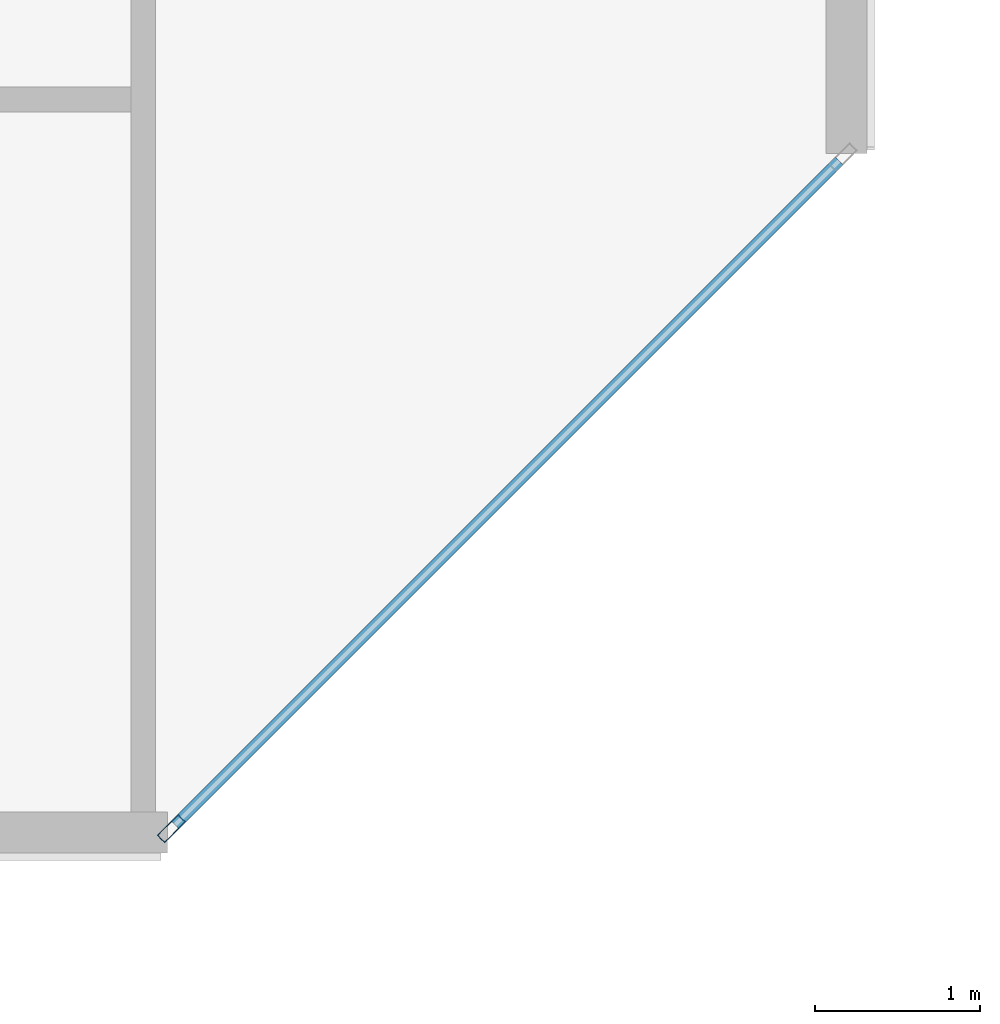
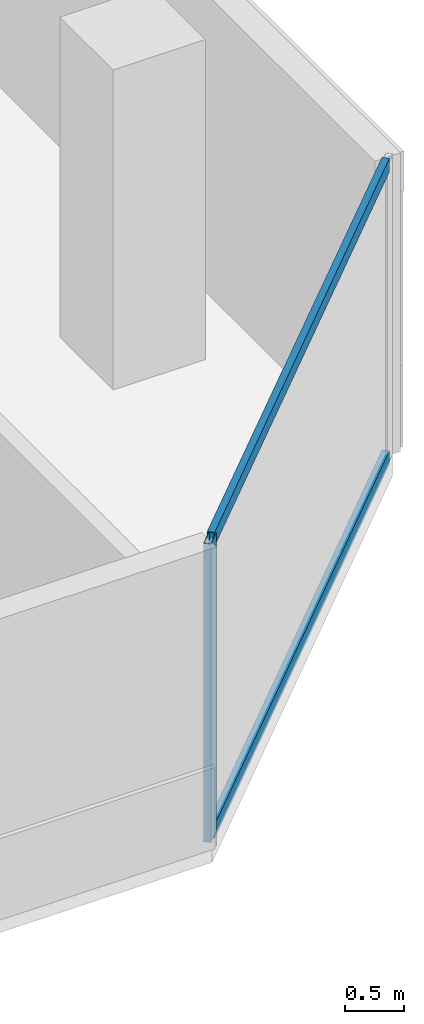
# One storey, part 13 of 29: 3 members, 1 element without a shape of its own.
"""IFC4 building model written with IfcOpenShell, lengths in metres."""

from ifc_helpers import new_model, si_unit, direction, frame, origin, origin_2d, place, context, subcontext, project, spatial, hollow_rectangle, extrude, material, layer, layer_set, material_profile, profile_set, type_object, element, aggregate, save


model = new_model("IFC4")

# Units and contexts
model_context = context("Model", 3, precision=1e-05, world=origin(), true_north=direction((0.0, 1.0)))
body_context = subcontext(model_context, "Body", "Model", "MODEL_VIEW")
ifc_project = project(units=[si_unit("LENGTHUNIT", "METRE"), si_unit("AREAUNIT", "SQUARE_METRE"), si_unit("VOLUMEUNIT", "CUBIC_METRE"), si_unit("PLANEANGLEUNIT", "RADIAN"), si_unit("MASSUNIT", "GRAM", prefix="KILO")], contexts=[model_context])

# Site, building, storey
site_placement = place(None, origin())
site = spatial("IfcSite", under=ifc_project, at=site_placement, CompositionType="ELEMENT")
building_placement = place(site_placement, origin())
building = spatial("IfcBuilding", under=site, at=building_placement, Name="Tanjung Sevakor Pilgrim Tower", CompositionType="ELEMENT")
storey_placement = place(building_placement, frame((0.0, 0.0, 151.800048828125)))
storey = spatial("IfcBuildingStorey", under=building, at=storey_placement, Name="L42", CompositionType="ELEMENT", Elevation=151.800048828125)

# Curtain wall, members
ifc_material_1 = material(Name="Aluminium 6063-T6 and Low-E Glass", Category="aluminium")
ifc_layer = layer(ifc_material_1, 0.179931640625)
ifc_layer_set = layer_set([ifc_layer], Name="CW-SYS-CHAM")
curtain_wall_type = type_object("IfcCurtainWallType", Name="CW-SYS-CHAM", PredefinedType="NOTDEFINED", material=ifc_layer_set)
curtain_wall_placement = place(storey_placement, origin())
curtain_wall = element("IfcCurtainWall", 1, at=curtain_wall_placement, inside=storey, type_object=curtain_wall_type, Name="L42 Curtain Wall CW-CHM-L42-MAIN-5", PredefinedType="NOTDEFINED")
ifc_material_2 = material(Name="Aluminium 6063-T6", Category="aluminium")
ifc_material_profile_1 = material_profile(ifc_material_2, hollow_rectangle(XDim=0.06494140625, YDim=0.179931640625, WallThickness=0.00390625, at=origin_2d()))
ifc_profile_set_1 = profile_set([ifc_material_profile_1], Name="Aluminium 6063-T6")
member_type_1 = type_object("IfcMemberType", Name="TYPE-CWM-1", PredefinedType="MULLION", material=ifc_profile_set_1)
member_1_placement = place(storey_placement, frame((95.771240234375, 12.048095703125, 0.0), z_axis=(0.0, 0.0, 1.0), x_axis=(-0.707106781187, 0.707106781187, 0.0)))
member_1 = element("IfcMember", 2, at=member_1_placement, type_object=member_type_1, Name="CW-CHM mullion 1", PredefinedType="MULLION", context=body_context, shape_type="SweptSolid", body=[
    extrude(hollow_rectangle(XDim=0.06494140625, YDim=0.179931640625, WallThickness=0.00390625, at=origin_2d()), origin(), (0.0, 0.0, 1.0), 3.079833984375),
])
ifc_material_3 = material(Name="Aluminium 6063-T6", Category="aluminium")
ifc_material_profile_2 = material_profile(ifc_material_3, hollow_rectangle(XDim=0.06494140625, YDim=0.139892578125, WallThickness=0.00390625, at=origin_2d()))
ifc_profile_set_2 = profile_set([ifc_material_profile_2], Name="Aluminium 6063-T6")
member_type_2 = type_object("IfcMemberType", Name="TYPE-CWT-1", PredefinedType="USERDEFINED", material=ifc_profile_set_2)
member_2_placement = place(storey_placement, frame((95.794189453125, 12.071044921875, 0.032470703125), z_axis=(0.707106781187, 0.707106781187, 0.0), x_axis=(-0.707106781187, 0.707106781187, 0.0)))
member_2 = element("IfcMember", 3, at=member_2_placement, type_object=member_type_2, Name="CW-CHM transom 1.1", ObjectType="TRANSOM", PredefinedType="USERDEFINED", context=body_context, shape_type="SweptSolid", body=[
    extrude(hollow_rectangle(XDim=0.06494140625, YDim=0.139892578125, WallThickness=0.00390625, at=origin_2d()), origin(), (0.0, 0.0, 1.0), 5.706298828125),
])
member_3_placement = place(storey_placement, frame((95.794189453125, 12.071044921875, 3.04736328125), z_axis=(0.707106781187, 0.707106781187, 0.0), x_axis=(-0.707106781187, 0.707106781187, 0.0)))
member_3 = element("IfcMember", 4, at=member_3_placement, type_object=member_type_2, Name="CW-CHM transom 1.2", ObjectType="TRANSOM", PredefinedType="USERDEFINED", context=body_context, shape_type="SweptSolid", body=[
    extrude(hollow_rectangle(XDim=0.06494140625, YDim=0.139892578125, WallThickness=0.00390625, at=origin_2d()), origin(), (0.0, 0.0, 1.0), 5.706298828125),
])
aggregate(curtain_wall, [member_1, member_2, member_3])

save(model, "model.ifc")
